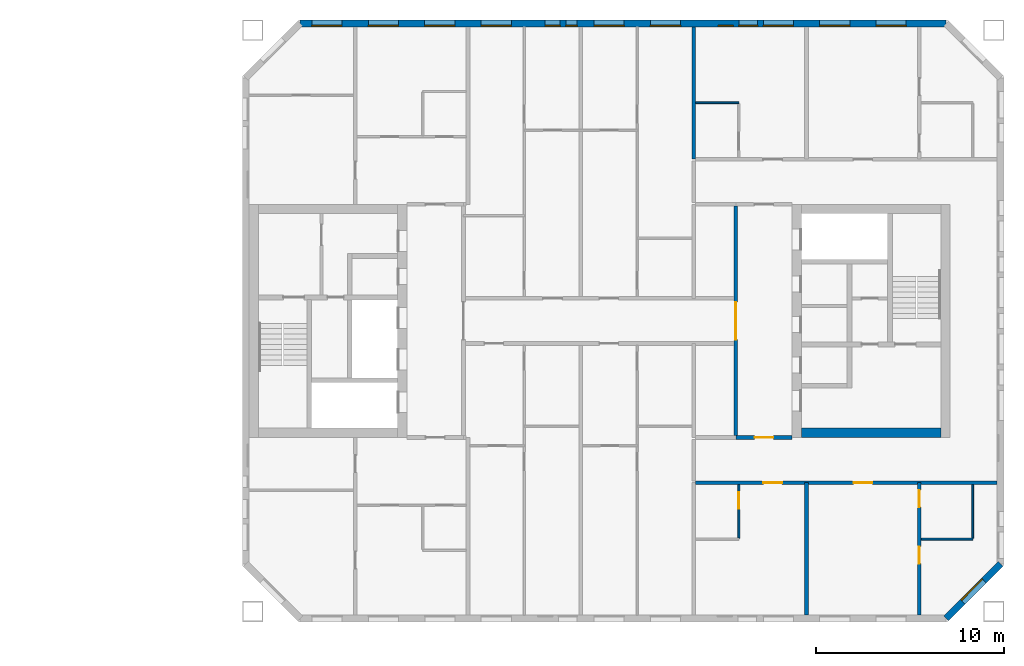
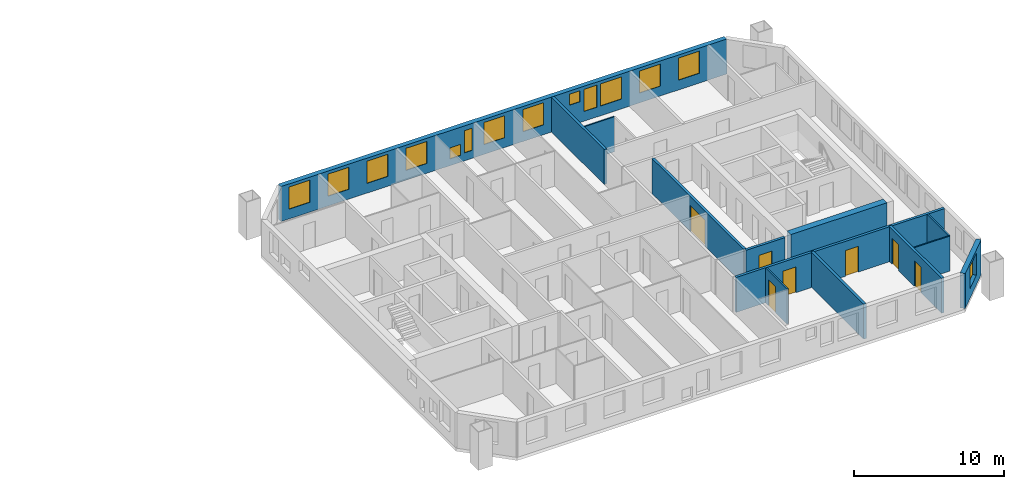
# One storey, part 11 of 15: 14 windows, 13 walls, 7 doors, 21 openings.
"""IFC4 building model written with IfcOpenShell, lengths in metres."""

from ifc_helpers import new_model, si_unit, direction, frame, frame_2d, origin, place, context, subcontext, project, spatial, rectangle, extrude, material, layer, layer_set, type_object, element, fill, save


model = new_model("IFC4")

# Units and contexts
model_context = context("Model", 3, precision=1e-05, world=origin(), true_north=direction((0.0, 1.0)))
body_context = subcontext(model_context, "Body", "Model", "MODEL_VIEW")
ifc_project = project(units=[si_unit("LENGTHUNIT", "METRE"), si_unit("AREAUNIT", "SQUARE_METRE"), si_unit("VOLUMEUNIT", "CUBIC_METRE"), si_unit("PLANEANGLEUNIT", "RADIAN"), si_unit("MASSUNIT", "GRAM", prefix="KILO")], contexts=[model_context])

# Site, building, storey
site_placement = place(None, origin())
site = spatial("IfcSite", under=ifc_project, at=site_placement, CompositionType="ELEMENT")
building_placement = place(site_placement, origin())
building = spatial("IfcBuilding", under=site, at=building_placement, Name="Tuart Gate Housing", CompositionType="ELEMENT")
storey_placement = place(building_placement, frame((0.0, 0.0, 160.89990234375)))
storey = spatial("IfcBuildingStorey", under=building, at=storey_placement, Name="L45", CompositionType="ELEMENT", Elevation=160.89990234375)

# Wall, opening, window
ifc_material_1 = material(Name="Brick", Category="masonry")
ifc_layer_1 = layer(ifc_material_1, 0.360107421875)
ifc_layer_set_1 = layer_set([ifc_layer_1], Name="Brick pier and spandrel wall 360")
wall_type_1 = type_object("IfcWallType", Name="Brick pier and spandrel wall 360", PredefinedType="STANDARD", material=ifc_layer_set_1)
wall_1_placement = place(storey_placement, frame((168.42529296875, 54.179931640625, 0.0), z_axis=(0.0, 0.0, 1.0), x_axis=(0.707106781187, 0.707106781187, 0.0)))
wall_1 = element("IfcWall", 1, at=wall_1_placement, inside=storey, type_object=wall_type_1, Name="External wall B-SE L45", PredefinedType="STANDARD", context=body_context, shape_type="SweptSolid", body=[
    extrude(rectangle(XDim=4.09375, YDim=0.360107421875, at=frame_2d((2.046875, 0.0))), origin(), (0.0, 0.0, 1.0), 2.85009765625),
])
opening_1_placement = place(wall_1_placement, frame((1.2470703125, 0.0, 0.800048828125)))
opening_1 = element("IfcOpeningElement", 2, at=opening_1_placement, cuts=wall_1, Name="Opening W1", PredefinedType="OPENING", context=body_context, shape_type="SweptSolid", body=[
    extrude(rectangle(XDim=1.60009765625, YDim=1.800048828125, at=frame_2d((0.800048828125, 0.89990234375))), frame((0.0, 0.18994140625, 0.0), z_axis=(0.0, -1.0, 0.0), x_axis=(1.0, 0.0, 0.0)), (0.0, 0.0, 1.0), 0.380126953125),
])
ifc_material_2 = material(Name="Aluminium frame with clear glass", Category="aluminium")
window_type_1 = type_object("IfcWindowType", Name="Punched window 1600 x 1800", PartitioningType="SINGLE_PANEL", PredefinedType="WINDOW", material=ifc_material_2)
window_1_placement = place(opening_1_placement, origin())
window_1 = element("IfcWindow", 3, at=window_1_placement, inside=storey, type_object=window_type_1, Name="Window W1", OverallHeight=1.800048828125, OverallWidth=1.60009765625, PartitioningType="SINGLE_PANEL", PredefinedType="WINDOW", context=body_context, shape_type="SweptSolid", body=[
    extrude(rectangle(XDim=1.60009765625, YDim=1.800048828125, at=frame_2d((0.800048828125, 0.89990234375))), frame((0.0, 0.150146484375, 0.0), z_axis=(0.0, -1.0, 0.0), x_axis=(1.0, 0.0, 0.0)), (0.0, 0.0, 1.0), 0.06005859375),
])
fill(opening_1, window_1)

# Wall, openings, windows
wall_2_placement = place(storey_placement, frame((168.42529296875, 85.820068359375, 0.0), z_axis=(0.0, 0.0, 1.0), x_axis=(-1.0, 0.0, 0.0)))
wall_2 = element("IfcWall", 4, at=wall_2_placement, inside=storey, type_object=wall_type_1, Name="External wall B-N L45", PredefinedType="STANDARD", context=body_context, shape_type="SweptSolid", body=[
    extrude(rectangle(XDim=34.350830078125, YDim=0.360107421875, at=frame_2d((17.17529296875, 0.0))), origin(), (0.0, 0.0, 1.0), 2.85009765625),
])
opening_2_placement = place(wall_2_placement, frame((2.12548828125, 0.0, 0.800048828125)))
opening_2 = element("IfcOpeningElement", 5, at=opening_2_placement, cuts=wall_2, Name="Opening W1", PredefinedType="OPENING", context=body_context, shape_type="SweptSolid", body=[
    extrude(rectangle(XDim=1.60009765625, YDim=1.800048828125, at=frame_2d((0.800048828125, 0.89990234375))), frame((0.0, 0.18994140625, 0.0), z_axis=(0.0, -1.0, 0.0), x_axis=(1.0, 0.0, 0.0)), (0.0, 0.0, 1.0), 0.380126953125),
])
opening_3_placement = place(wall_2_placement, frame((5.12548828125, 0.0, 0.800048828125)))
opening_3 = element("IfcOpeningElement", 6, at=opening_3_placement, cuts=wall_2, Name="Opening W1", PredefinedType="OPENING", context=body_context, shape_type="SweptSolid", body=[
    extrude(rectangle(XDim=1.60009765625, YDim=1.800048828125, at=frame_2d((0.800048828125, 0.89990234375))), frame((0.0, 0.18994140625, 0.0), z_axis=(0.0, -1.0, 0.0), x_axis=(1.0, 0.0, 0.0)), (0.0, 0.0, 1.0), 0.380126953125),
])
opening_4_placement = place(wall_2_placement, frame((8.12548828125, 0.0, 0.800048828125)))
opening_4 = element("IfcOpeningElement", 7, at=opening_4_placement, cuts=wall_2, Name="Opening W1", PredefinedType="OPENING", context=body_context, shape_type="SweptSolid", body=[
    extrude(rectangle(XDim=1.60009765625, YDim=1.800048828125, at=frame_2d((0.800048828125, 0.89990234375))), frame((0.0, 0.18994140625, 0.0), z_axis=(0.0, -1.0, 0.0), x_axis=(1.0, 0.0, 0.0)), (0.0, 0.0, 1.0), 0.380126953125),
])
opening_5_placement = place(wall_2_placement, frame((10.025390625, 0.0, 0.800048828125)))
opening_5 = element("IfcOpeningElement", 8, at=opening_5_placement, cuts=wall_2, Name="Opening W1C", PredefinedType="OPENING", context=body_context, shape_type="SweptSolid", body=[
    extrude(rectangle(XDim=1.0, YDim=1.800048828125, at=frame_2d((0.5, 0.89990234375))), frame((0.0, 0.18994140625, 0.0), z_axis=(0.0, -1.0, 0.0), x_axis=(1.0, 0.0, 0.0)), (0.0, 0.0, 1.0), 0.380126953125),
])
opening_6_placement = place(wall_2_placement, frame((14.12548828125, 0.0, 0.800048828125)))
opening_6 = element("IfcOpeningElement", 9, at=opening_6_placement, cuts=wall_2, Name="Opening W1", PredefinedType="OPENING", context=body_context, shape_type="SweptSolid", body=[
    extrude(rectangle(XDim=1.60009765625, YDim=1.800048828125, at=frame_2d((0.800048828125, 0.89990234375))), frame((0.0, 0.18994140625, 0.0), z_axis=(0.0, -1.0, 0.0), x_axis=(1.0, 0.0, 0.0)), (0.0, 0.0, 1.0), 0.380126953125),
])
opening_7_placement = place(wall_2_placement, frame((17.12548828125, 0.0, 0.800048828125)))
opening_7 = element("IfcOpeningElement", 10, at=opening_7_placement, cuts=wall_2, Name="Opening W1", PredefinedType="OPENING", context=body_context, shape_type="SweptSolid", body=[
    extrude(rectangle(XDim=1.60009765625, YDim=1.800048828125, at=frame_2d((0.800048828125, 0.89990234375))), frame((0.0, 0.18994140625, 0.0), z_axis=(0.0, -1.0, 0.0), x_axis=(1.0, 0.0, 0.0)), (0.0, 0.0, 1.0), 0.380126953125),
])
opening_8_placement = place(wall_2_placement, frame((19.62548828125, 0.0, 0.64990234375)))
opening_8 = element("IfcOpeningElement", 11, at=opening_8_placement, cuts=wall_2, Name="Opening W1E", PredefinedType="OPENING", context=body_context, shape_type="SweptSolid", body=[
    extrude(rectangle(XDim=0.60009765625, YDim=1.800048828125, at=frame_2d((0.300048828125, 0.89990234375))), frame((0.0, 0.18994140625, 0.0), z_axis=(0.0, -1.0, 0.0), x_axis=(1.0, 0.0, 0.0)), (0.0, 0.0, 1.0), 0.380126953125),
])
opening_9_placement = place(wall_2_placement, frame((23.12548828125, 0.0, 0.800048828125)))
opening_9 = element("IfcOpeningElement", 12, at=opening_9_placement, cuts=wall_2, Name="Opening W1", PredefinedType="OPENING", context=body_context, shape_type="SweptSolid", body=[
    extrude(rectangle(XDim=1.60009765625, YDim=1.800048828125, at=frame_2d((0.800048828125, 0.89990234375))), frame((0.0, 0.18994140625, 0.0), z_axis=(0.0, -1.0, 0.0), x_axis=(1.0, 0.0, 0.0)), (0.0, 0.0, 1.0), 0.380126953125),
])
opening_10_placement = place(wall_2_placement, frame((26.12548828125, 0.0, 0.800048828125)))
opening_10 = element("IfcOpeningElement", 13, at=opening_10_placement, cuts=wall_2, Name="Opening W1", PredefinedType="OPENING", context=body_context, shape_type="SweptSolid", body=[
    extrude(rectangle(XDim=1.60009765625, YDim=1.800048828125, at=frame_2d((0.800048828125, 0.89990234375))), frame((0.0, 0.18994140625, 0.0), z_axis=(0.0, -1.0, 0.0), x_axis=(1.0, 0.0, 0.0)), (0.0, 0.0, 1.0), 0.380126953125),
])
opening_11_placement = place(wall_2_placement, frame((29.12548828125, 0.0, 0.800048828125)))
opening_11 = element("IfcOpeningElement", 14, at=opening_11_placement, cuts=wall_2, Name="Opening W1", PredefinedType="OPENING", context=body_context, shape_type="SweptSolid", body=[
    extrude(rectangle(XDim=1.60009765625, YDim=1.800048828125, at=frame_2d((0.800048828125, 0.89990234375))), frame((0.0, 0.18994140625, 0.0), z_axis=(0.0, -1.0, 0.0), x_axis=(1.0, 0.0, 0.0)), (0.0, 0.0, 1.0), 0.380126953125),
])
opening_12_placement = place(wall_2_placement, frame((32.12548828125, 0.0, 0.800048828125)))
opening_12 = element("IfcOpeningElement", 15, at=opening_12_placement, cuts=wall_2, Name="Opening W1", PredefinedType="OPENING", context=body_context, shape_type="SweptSolid", body=[
    extrude(rectangle(XDim=1.60009765625, YDim=1.800048828125, at=frame_2d((0.800048828125, 0.89990234375))), frame((0.0, 0.18994140625, 0.0), z_axis=(0.0, -1.0, 0.0), x_axis=(1.0, 0.0, 0.0)), (0.0, 0.0, 1.0), 0.380126953125),
])
opening_13_placement = place(wall_2_placement, frame((11.325439453125, 0.0, 1.699951171875)))
opening_13 = element("IfcOpeningElement", 16, at=opening_13_placement, cuts=wall_2, Name="Opening W1V", PredefinedType="OPENING", context=body_context, shape_type="SweptSolid", body=[
    extrude(rectangle(XDim=0.800048828125, YDim=0.89990234375, at=frame_2d((0.39990234375, 0.449951171875))), frame((0.0, 0.18994140625, 0.0), z_axis=(0.0, -1.0, 0.0), x_axis=(1.0, 0.0, 0.0)), (0.0, 0.0, 1.0), 0.380126953125),
])
opening_14_placement = place(wall_2_placement, frame((20.525390625, 0.0, 0.550048828125)))
opening_14 = element("IfcOpeningElement", 17, at=opening_14_placement, cuts=wall_2, Name="Opening W1V", PredefinedType="OPENING", context=body_context, shape_type="SweptSolid", body=[
    extrude(rectangle(XDim=0.800048828125, YDim=0.89990234375, at=frame_2d((0.39990234375, 0.449951171875))), frame((0.0, 0.18994140625, 0.0), z_axis=(0.0, -1.0, 0.0), x_axis=(1.0, 0.0, 0.0)), (0.0, 0.0, 1.0), 0.380126953125),
])
ifc_material_3 = material(Name="Aluminium frame with clear glass", Category="aluminium")
window_type_2 = type_object("IfcWindowType", Name="Punched window 1000 x 1800", PartitioningType="SINGLE_PANEL", PredefinedType="WINDOW", material=ifc_material_3)
window_2_placement = place(opening_5_placement, origin())
window_2 = element("IfcWindow", 18, at=window_2_placement, inside=storey, type_object=window_type_2, Name="Window W1C", OverallHeight=1.800048828125, OverallWidth=1.0, PartitioningType="SINGLE_PANEL", PredefinedType="WINDOW", context=body_context, shape_type="SweptSolid", body=[
    extrude(rectangle(XDim=1.0, YDim=1.800048828125, at=frame_2d((0.5, 0.89990234375))), frame((0.0, 0.150146484375, 0.0), z_axis=(0.0, -1.0, 0.0), x_axis=(1.0, 0.0, 0.0)), (0.0, 0.0, 1.0), 0.06005859375),
])
fill(opening_5, window_2)
window_3_placement = place(opening_2_placement, origin())
window_3 = element("IfcWindow", 19, at=window_3_placement, inside=storey, type_object=window_type_1, Name="Window W1", OverallHeight=1.800048828125, OverallWidth=1.60009765625, PartitioningType="SINGLE_PANEL", PredefinedType="WINDOW", context=body_context, shape_type="SweptSolid", body=[
    extrude(rectangle(XDim=1.60009765625, YDim=1.800048828125, at=frame_2d((0.800048828125, 0.89990234375))), frame((0.0, 0.150146484375, 0.0), z_axis=(0.0, -1.0, 0.0), x_axis=(1.0, 0.0, 0.0)), (0.0, 0.0, 1.0), 0.06005859375),
])
fill(opening_2, window_3)
window_4_placement = place(opening_3_placement, origin())
window_4 = element("IfcWindow", 20, at=window_4_placement, inside=storey, type_object=window_type_1, Name="Window W1", OverallHeight=1.800048828125, OverallWidth=1.60009765625, PartitioningType="SINGLE_PANEL", PredefinedType="WINDOW", context=body_context, shape_type="SweptSolid", body=[
    extrude(rectangle(XDim=1.60009765625, YDim=1.800048828125, at=frame_2d((0.800048828125, 0.89990234375))), frame((0.0, 0.150146484375, 0.0), z_axis=(0.0, -1.0, 0.0), x_axis=(1.0, 0.0, 0.0)), (0.0, 0.0, 1.0), 0.06005859375),
])
fill(opening_3, window_4)
window_5_placement = place(opening_4_placement, origin())
window_5 = element("IfcWindow", 21, at=window_5_placement, inside=storey, type_object=window_type_1, Name="Window W1", OverallHeight=1.800048828125, OverallWidth=1.60009765625, PartitioningType="SINGLE_PANEL", PredefinedType="WINDOW", context=body_context, shape_type="SweptSolid", body=[
    extrude(rectangle(XDim=1.60009765625, YDim=1.800048828125, at=frame_2d((0.800048828125, 0.89990234375))), frame((0.0, 0.150146484375, 0.0), z_axis=(0.0, -1.0, 0.0), x_axis=(1.0, 0.0, 0.0)), (0.0, 0.0, 1.0), 0.06005859375),
])
fill(opening_4, window_5)
window_6_placement = place(opening_6_placement, origin())
window_6 = element("IfcWindow", 22, at=window_6_placement, inside=storey, type_object=window_type_1, Name="Window W1", OverallHeight=1.800048828125, OverallWidth=1.60009765625, PartitioningType="SINGLE_PANEL", PredefinedType="WINDOW", context=body_context, shape_type="SweptSolid", body=[
    extrude(rectangle(XDim=1.60009765625, YDim=1.800048828125, at=frame_2d((0.800048828125, 0.89990234375))), frame((0.0, 0.150146484375, 0.0), z_axis=(0.0, -1.0, 0.0), x_axis=(1.0, 0.0, 0.0)), (0.0, 0.0, 1.0), 0.06005859375),
])
fill(opening_6, window_6)
window_7_placement = place(opening_7_placement, origin())
window_7 = element("IfcWindow", 23, at=window_7_placement, inside=storey, type_object=window_type_1, Name="Window W1", OverallHeight=1.800048828125, OverallWidth=1.60009765625, PartitioningType="SINGLE_PANEL", PredefinedType="WINDOW", context=body_context, shape_type="SweptSolid", body=[
    extrude(rectangle(XDim=1.60009765625, YDim=1.800048828125, at=frame_2d((0.800048828125, 0.89990234375))), frame((0.0, 0.150146484375, 0.0), z_axis=(0.0, -1.0, 0.0), x_axis=(1.0, 0.0, 0.0)), (0.0, 0.0, 1.0), 0.06005859375),
])
fill(opening_7, window_7)
window_8_placement = place(opening_9_placement, origin())
window_8 = element("IfcWindow", 24, at=window_8_placement, inside=storey, type_object=window_type_1, Name="Window W1", OverallHeight=1.800048828125, OverallWidth=1.60009765625, PartitioningType="SINGLE_PANEL", PredefinedType="WINDOW", context=body_context, shape_type="SweptSolid", body=[
    extrude(rectangle(XDim=1.60009765625, YDim=1.800048828125, at=frame_2d((0.800048828125, 0.89990234375))), frame((0.0, 0.150146484375, 0.0), z_axis=(0.0, -1.0, 0.0), x_axis=(1.0, 0.0, 0.0)), (0.0, 0.0, 1.0), 0.06005859375),
])
fill(opening_9, window_8)
window_9_placement = place(opening_10_placement, origin())
window_9 = element("IfcWindow", 25, at=window_9_placement, inside=storey, type_object=window_type_1, Name="Window W1", OverallHeight=1.800048828125, OverallWidth=1.60009765625, PartitioningType="SINGLE_PANEL", PredefinedType="WINDOW", context=body_context, shape_type="SweptSolid", body=[
    extrude(rectangle(XDim=1.60009765625, YDim=1.800048828125, at=frame_2d((0.800048828125, 0.89990234375))), frame((0.0, 0.150146484375, 0.0), z_axis=(0.0, -1.0, 0.0), x_axis=(1.0, 0.0, 0.0)), (0.0, 0.0, 1.0), 0.06005859375),
])
fill(opening_10, window_9)
window_10_placement = place(opening_11_placement, origin())
window_10 = element("IfcWindow", 26, at=window_10_placement, inside=storey, type_object=window_type_1, Name="Window W1", OverallHeight=1.800048828125, OverallWidth=1.60009765625, PartitioningType="SINGLE_PANEL", PredefinedType="WINDOW", context=body_context, shape_type="SweptSolid", body=[
    extrude(rectangle(XDim=1.60009765625, YDim=1.800048828125, at=frame_2d((0.800048828125, 0.89990234375))), frame((0.0, 0.150146484375, 0.0), z_axis=(0.0, -1.0, 0.0), x_axis=(1.0, 0.0, 0.0)), (0.0, 0.0, 1.0), 0.06005859375),
])
fill(opening_11, window_10)
window_11_placement = place(opening_12_placement, origin())
window_11 = element("IfcWindow", 27, at=window_11_placement, inside=storey, type_object=window_type_1, Name="Window W1", OverallHeight=1.800048828125, OverallWidth=1.60009765625, PartitioningType="SINGLE_PANEL", PredefinedType="WINDOW", context=body_context, shape_type="SweptSolid", body=[
    extrude(rectangle(XDim=1.60009765625, YDim=1.800048828125, at=frame_2d((0.800048828125, 0.89990234375))), frame((0.0, 0.150146484375, 0.0), z_axis=(0.0, -1.0, 0.0), x_axis=(1.0, 0.0, 0.0)), (0.0, 0.0, 1.0), 0.06005859375),
])
fill(opening_12, window_11)
ifc_material_4 = material(Name="Aluminium frame with clear glass", Category="aluminium")
window_type_3 = type_object("IfcWindowType", Name="Punched window 600 x 1800", PartitioningType="SINGLE_PANEL", PredefinedType="WINDOW", material=ifc_material_4)
window_12_placement = place(opening_8_placement, origin())
window_12 = element("IfcWindow", 28, at=window_12_placement, inside=storey, type_object=window_type_3, Name="Window W1E", OverallHeight=1.800048828125, OverallWidth=0.60009765625, PartitioningType="SINGLE_PANEL", PredefinedType="WINDOW", context=body_context, shape_type="SweptSolid", body=[
    extrude(rectangle(XDim=0.60009765625, YDim=1.800048828125, at=frame_2d((0.300048828125, 0.89990234375))), frame((0.0, 0.150146484375, 0.0), z_axis=(0.0, -1.0, 0.0), x_axis=(1.0, 0.0, 0.0)), (0.0, 0.0, 1.0), 0.06005859375),
])
fill(opening_8, window_12)
ifc_material_5 = material(Name="Aluminium frame with clear glass", Category="aluminium")
window_type_4 = type_object("IfcWindowType", Name="Punched window 800 x 900", PartitioningType="SINGLE_PANEL", PredefinedType="WINDOW", material=ifc_material_5)
window_13_placement = place(opening_13_placement, origin())
window_13 = element("IfcWindow", 29, at=window_13_placement, inside=storey, type_object=window_type_4, Name="Window W1V", OverallHeight=0.89990234375, OverallWidth=0.800048828125, PartitioningType="SINGLE_PANEL", PredefinedType="WINDOW", context=body_context, shape_type="SweptSolid", body=[
    extrude(rectangle(XDim=0.800048828125, YDim=0.89990234375, at=frame_2d((0.39990234375, 0.449951171875))), frame((0.0, 0.150146484375, 0.0), z_axis=(0.0, -1.0, 0.0), x_axis=(1.0, 0.0, 0.0)), (0.0, 0.0, 1.0), 0.06005859375),
])
fill(opening_13, window_13)
window_14_placement = place(opening_14_placement, origin())
window_14 = element("IfcWindow", 30, at=window_14_placement, inside=storey, type_object=window_type_4, Name="Window W1V", OverallHeight=0.89990234375, OverallWidth=0.800048828125, PartitioningType="SINGLE_PANEL", PredefinedType="WINDOW", context=body_context, shape_type="SweptSolid", body=[
    extrude(rectangle(XDim=0.800048828125, YDim=0.89990234375, at=frame_2d((0.39990234375, 0.449951171875))), frame((0.0, 0.150146484375, 0.0), z_axis=(0.0, -1.0, 0.0), x_axis=(1.0, 0.0, 0.0)), (0.0, 0.0, 1.0), 0.06005859375),
])
fill(opening_14, window_14)

# Wall
ifc_material_6 = material(Name="Concrete C40", Category="concrete")
ifc_layer_2 = layer(ifc_material_6, 0.5)
ifc_layer_set_2 = layer_set([ifc_layer_2], Name="Core wall 500 C40")
wall_type_2 = type_object("IfcWallType", Name="Core wall 500 C40", PredefinedType="SHEAR", material=ifc_layer_set_2)
wall_3_placement = place(storey_placement, frame((160.739990234375, 64.050048828125, 0.0), z_axis=(0.0, 0.0, 1.0), x_axis=(1.0, 0.0, 0.0)))
element("IfcWall", 31, at=wall_3_placement, inside=storey, type_object=wall_type_2, Name="Core wall BK north", PredefinedType="SHEAR", context=body_context, shape_type="SweptSolid", body=[
    extrude(rectangle(XDim=7.39990234375, YDim=0.5, at=frame_2d((3.699951171875, 0.0))), origin(), (0.0, 0.0, 1.0), 2.85009765625),
])

# Wall, openings, doors
ifc_material_7 = material(Name="Concrete masonry 15 MPa", Category="masonry")
ifc_layer_3 = layer(ifc_material_7, 0.199951171875)
ifc_layer_set_3 = layer_set([ifc_layer_3], Name="Corridor wall masonry 200")
wall_type_3 = type_object("IfcWallType", Name="Corridor wall masonry 200", PredefinedType="PARTITIONING", material=ifc_layer_set_3)
wall_4_placement = place(storey_placement, frame((155.10009765625, 61.39990234375, 0.0), z_axis=(0.0, 0.0, 1.0), x_axis=(1.0, 0.0, 0.0)))
wall_4 = element("IfcWall", 32, at=wall_4_placement, inside=storey, type_object=wall_type_3, Name="Corridor wall masonry 200", PredefinedType="PARTITIONING", context=body_context, shape_type="SweptSolid", body=[
    extrude(rectangle(XDim=16.039794921875, YDim=0.199951171875, at=frame_2d((8.02001953125, 0.0))), origin(), (0.0, 0.0, 1.0), 2.85009765625),
])
opening_15_placement = place(wall_4_placement, frame((3.60009765625, 0.0, 0.0)))
opening_15 = element("IfcOpeningElement", 33, at=opening_15_placement, cuts=wall_4, Name="Opening D1724", PredefinedType="OPENING", context=body_context, shape_type="SweptSolid", body=[
    extrude(rectangle(XDim=1.0, YDim=2.10009765625, at=frame_2d((0.5, 1.050048828125))), frame((0.0, 0.10986328125, 0.0), z_axis=(0.0, -1.0, 0.0), x_axis=(1.0, 0.0, 0.0)), (0.0, 0.0, 1.0), 0.219970703125),
])
opening_16_placement = place(wall_4_placement, frame((8.39990234375, 0.0, 0.0)))
opening_16 = element("IfcOpeningElement", 34, at=opening_16_placement, cuts=wall_4, Name="Opening D1725", PredefinedType="OPENING", context=body_context, shape_type="SweptSolid", body=[
    extrude(rectangle(XDim=1.0, YDim=2.10009765625, at=frame_2d((0.5, 1.050048828125))), frame((0.0, 0.10986328125, 0.0), z_axis=(0.0, -1.0, 0.0), x_axis=(1.0, 0.0, 0.0)), (0.0, 0.0, 1.0), 0.219970703125),
])
ifc_material_8 = material(Name="Timber door leaf in steel frame", Category="steel")
door_type_1 = type_object("IfcDoorType", Name="Flat entrance door 1000 RH", OperationType="SINGLE_SWING_RIGHT", PredefinedType="DOOR", material=ifc_material_8)
door_1_placement = place(opening_15_placement, frame((1.0, 0.0, 0.0), z_axis=(0.0, 0.0, 1.0), x_axis=(-1.0, 0.0, 0.0)))
door_1 = element("IfcDoor", 35, at=door_1_placement, inside=storey, type_object=door_type_1, Name="Flat entrance door", OperationType="SINGLE_SWING_RIGHT", OverallHeight=2.10009765625, OverallWidth=1.0, PredefinedType="DOOR", context=body_context, shape_type="SweptSolid", body=[
    extrude(rectangle(XDim=1.0, YDim=2.10009765625, at=frame_2d((0.5, 1.050048828125))), frame((0.0, 0.025146484375, 0.0), z_axis=(0.0, -1.0, 0.0), x_axis=(1.0, 0.0, 0.0)), (0.0, 0.0, 1.0), 0.050048828125),
])
fill(opening_15, door_1)
door_2_placement = place(opening_16_placement, frame((1.0, 0.0, 0.0), z_axis=(0.0, 0.0, 1.0), x_axis=(-1.0, 0.0, 0.0)))
door_2 = element("IfcDoor", 36, at=door_2_placement, inside=storey, type_object=door_type_1, Name="Flat entrance door", OperationType="SINGLE_SWING_RIGHT", OverallHeight=2.10009765625, OverallWidth=1.0, PredefinedType="DOOR", context=body_context, shape_type="SweptSolid", body=[
    extrude(rectangle(XDim=1.0, YDim=2.10009765625, at=frame_2d((0.5, 1.050048828125))), frame((0.0, 0.025146484375, 0.0), z_axis=(0.0, -1.0, 0.0), x_axis=(1.0, 0.0, 0.0)), (0.0, 0.0, 1.0), 0.050048828125),
])
fill(opening_16, door_2)

# Wall, opening, door
ifc_material_9 = material(Name="Concrete masonry 15 MPa", Category="masonry")
ifc_layer_4 = layer(ifc_material_9, 0.199951171875)
ifc_layer_set_4 = layer_set([ifc_layer_4], Name="Enclosure wall masonry 200")
wall_type_4 = type_object("IfcWallType", Name="Enclosure wall masonry 200", PredefinedType="PARTITIONING", material=ifc_layer_set_4)
wall_5_placement = place(storey_placement, frame((157.239990234375, 63.800048828125, 0.0), z_axis=(0.0, 0.0, 1.0), x_axis=(1.0, 0.0, 0.0)))
wall_5 = element("IfcWall", 37, at=wall_5_placement, inside=storey, type_object=wall_type_4, Name="Enclosure wall masonry 200", PredefinedType="PARTITIONING", context=body_context, shape_type="SweptSolid", body=[
    extrude(rectangle(XDim=3.0, YDim=0.199951171875, at=frame_2d((1.5, 0.0))), origin(), (0.0, 0.0, 1.0), 2.85009765625),
])
opening_17_placement = place(wall_5_placement, frame((1.0, 0.0, 0.0)))
opening_17 = element("IfcOpeningElement", 38, at=opening_17_placement, cuts=wall_5, Name="Opening D1717", PredefinedType="OPENING", context=body_context, shape_type="SweptSolid", body=[
    extrude(rectangle(XDim=1.0, YDim=2.10009765625, at=frame_2d((0.5, 1.050048828125))), frame((0.0, 0.10986328125, 0.0), z_axis=(0.0, -1.0, 0.0), x_axis=(1.0, 0.0, 0.0)), (0.0, 0.0, 1.0), 0.219970703125),
])
ifc_material_10 = material(Name="Timber door leaf in steel frame", Category="steel")
door_type_2 = type_object("IfcDoorType", Name="Fire door 1000 RH", OperationType="SINGLE_SWING_RIGHT", PredefinedType="DOOR", material=ifc_material_10)
door_3_placement = place(opening_17_placement, frame((1.0, 0.0, 0.0), z_axis=(0.0, 0.0, 1.0), x_axis=(-1.0, 0.0, 0.0)))
door_3 = element("IfcDoor", 39, at=door_3_placement, inside=storey, type_object=door_type_2, Name="Fire door", OperationType="SINGLE_SWING_RIGHT", OverallHeight=2.10009765625, OverallWidth=1.0, PredefinedType="DOOR", context=body_context, shape_type="SweptSolid", body=[
    extrude(rectangle(XDim=1.0, YDim=2.10009765625, at=frame_2d((0.5, 1.050048828125))), frame((0.0, 0.025146484375, 0.0), z_axis=(0.0, -1.0, 0.0), x_axis=(1.0, 0.0, 0.0)), (0.0, 0.0, 1.0), 0.050048828125),
])
fill(opening_17, door_3)

ifc_material_11 = material(Name="Plasterboard partition")
ifc_layer_5 = layer(ifc_material_11, 0.199951171875)
ifc_layer_set_5 = layer_set([ifc_layer_5], Name="Lobby wall 200")
wall_type_5 = type_object("IfcWallType", Name="Lobby wall 200", PredefinedType="PARTITIONING", material=ifc_layer_set_5)
wall_6_placement = place(storey_placement, frame((157.239990234375, 63.89990234375, 0.0), z_axis=(0.0, 0.0, 1.0), x_axis=(0.0, 1.0, 0.0)))
wall_6 = element("IfcWall", 40, at=wall_6_placement, inside=storey, type_object=wall_type_5, Name="Lift lobby wall BK", PredefinedType="PARTITIONING", context=body_context, shape_type="SweptSolid", body=[
    extrude(rectangle(XDim=12.2001953125, YDim=0.199951171875, at=frame_2d((6.10009765625, 0.0))), origin(), (0.0, 0.0, 1.0), 2.85009765625),
])
opening_18_placement = place(wall_6_placement, frame((5.10009765625, 0.0, 0.0)))
opening_18 = element("IfcOpeningElement", 41, at=opening_18_placement, cuts=wall_6, Name="Opening D1707", PredefinedType="OPENING", context=body_context, shape_type="SweptSolid", body=[
    extrude(rectangle(XDim=2.0, YDim=2.10009765625, at=frame_2d((1.0, 1.050048828125))), frame((0.0, 0.10986328125, 0.0), z_axis=(0.0, -1.0, 0.0), x_axis=(1.0, 0.0, 0.0)), (0.0, 0.0, 1.0), 0.219970703125),
])
ifc_material_12 = material(Name="Steel fire door", Category="steel")
door_type_3 = type_object("IfcDoorType", Name="Smoke door 2000 x 2100", OperationType="DOUBLE_DOOR_SINGLE_SWING", PredefinedType="DOOR", material=ifc_material_12)
door_4_placement = place(opening_18_placement, frame((2.0, 0.0, 0.0), z_axis=(0.0, 0.0, 1.0), x_axis=(-1.0, 0.0, 0.0)))
door_4 = element("IfcDoor", 42, at=door_4_placement, inside=storey, type_object=door_type_3, Name="Lift lobby smoke door BK", OperationType="DOUBLE_DOOR_SINGLE_SWING", OverallHeight=2.10009765625, OverallWidth=2.0, PredefinedType="DOOR", context=body_context, shape_type="SweptSolid", body=[
    extrude(rectangle(XDim=2.0, YDim=2.10009765625, at=frame_2d((1.0, 1.050048828125))), frame((0.0, 0.025146484375, 0.0), z_axis=(0.0, -1.0, 0.0), x_axis=(1.0, 0.0, 0.0)), (0.0, 0.0, 1.0), 0.050048828125),
])
fill(opening_18, door_4)

# Walls
ifc_material_13 = material(Name="Gypsum board on steel studs", Category="steel")
ifc_layer_6 = layer(ifc_material_13, 0.10009765625)
ifc_layer_set_6 = layer_set([ifc_layer_6], Name="Partition 100")
wall_type_6 = type_object("IfcWallType", Name="Partition 100", PredefinedType="PARTITIONING", material=ifc_layer_set_6)
wall_7_placement = place(storey_placement, frame((167.10009765625, 58.39990234375, 0.0), z_axis=(0.0, 0.0, 1.0), x_axis=(1.0, 0.0, 0.0)))
element("IfcWall", 43, at=wall_7_placement, inside=storey, type_object=wall_type_6, Name="Partition 100", PredefinedType="PARTITIONING", context=body_context, shape_type="SweptSolid", body=[
    extrude(rectangle(XDim=2.739990234375, YDim=0.10009765625, at=frame_2d((1.3701171875, 0.0))), origin(), (0.0, 0.0, 1.0), 2.85009765625),
])
wall_8_placement = place(storey_placement, frame((155.10009765625, 81.60009765625, 0.0), z_axis=(0.0, 0.0, 1.0), x_axis=(1.0, 0.0, 0.0)))
element("IfcWall", 44, at=wall_8_placement, inside=storey, type_object=wall_type_6, Name="Partition 100", PredefinedType="PARTITIONING", context=body_context, shape_type="SweptSolid", body=[
    extrude(rectangle(XDim=2.2998046875, YDim=0.10009765625, at=frame_2d((1.14990234375, 0.0))), origin(), (0.0, 0.0, 1.0), 2.85009765625),
])

# Wall, opening, door
wall_9_placement = place(storey_placement, frame((157.39990234375, 58.449951171875, 0.0), z_axis=(0.0, 0.0, 1.0), x_axis=(0.0, 1.0, 0.0)))
wall_9 = element("IfcWall", 45, at=wall_9_placement, inside=storey, type_object=wall_type_6, Name="Partition 100", PredefinedType="PARTITIONING", context=body_context, shape_type="SweptSolid", body=[
    extrude(rectangle(XDim=2.85009765625, YDim=0.10009765625, at=frame_2d((1.425048828125, 0.0))), origin(), (0.0, 0.0, 1.0), 2.85009765625),
])
opening_19_placement = place(wall_9_placement, frame((1.550048828125, 0.0, 0.0)))
opening_19 = element("IfcOpeningElement", 46, at=opening_19_placement, cuts=wall_9, Name="Opening D1728", PredefinedType="OPENING", context=body_context, shape_type="SweptSolid", body=[
    extrude(rectangle(XDim=0.89990234375, YDim=2.10009765625, at=frame_2d((0.449951171875, 1.050048828125))), frame((0.0, 0.06005859375, 0.0), z_axis=(0.0, -1.0, 0.0), x_axis=(1.0, 0.0, 0.0)), (0.0, 0.0, 1.0), 0.1201171875),
])
ifc_material_14 = material(Name="Timber door leaf in steel frame", Category="steel")
door_type_4 = type_object("IfcDoorType", Name="Bathroom door 900 RH", OperationType="SINGLE_SWING_RIGHT", PredefinedType="DOOR", material=ifc_material_14)
door_5_placement = place(opening_19_placement, origin())
door_5 = element("IfcDoor", 47, at=door_5_placement, inside=storey, type_object=door_type_4, Name="Bathroom door", OperationType="SINGLE_SWING_RIGHT", OverallHeight=2.10009765625, OverallWidth=0.89990234375, PredefinedType="DOOR", context=body_context, shape_type="SweptSolid", body=[
    extrude(rectangle(XDim=0.89990234375, YDim=2.10009765625, at=frame_2d((0.449951171875, 1.050048828125))), frame((0.0, 0.02490234375, 0.0), z_axis=(0.0, -1.0, 0.0), x_axis=(1.0, 0.0, 0.0)), (0.0, 0.0, 1.0), 0.050048828125),
])
fill(opening_19, door_5)

# Walls
wall_10_placement = place(storey_placement, frame((169.840087890625, 58.449951171875, 0.0), z_axis=(0.0, 0.0, 1.0), x_axis=(0.0, 1.0, 0.0)))
element("IfcWall", 48, at=wall_10_placement, inside=storey, type_object=wall_type_6, Name="Partition 100", PredefinedType="PARTITIONING", context=body_context, shape_type="SweptSolid", body=[
    extrude(rectangle(XDim=2.85009765625, YDim=0.10009765625, at=frame_2d((1.425048828125, 0.0))), origin(), (0.0, 0.0, 1.0), 2.85009765625),
])
ifc_material_15 = material(Name="Concrete C40", Category="concrete")
ifc_layer_7 = layer(ifc_material_15, 0.199951171875)
ifc_layer_set_7 = layer_set([ifc_layer_7], Name="Party wall concrete C40 200")
wall_type_7 = type_object("IfcWallType", Name="Party wall concrete C40 200", PredefinedType="SOLIDWALL", material=ifc_layer_set_7)
for number, where, z_axis, x_axis, name in (
    (49, (155.0, 78.60009765625, 0.0), (0.0, 0.0, 1.0), (0.0, 1.0, 0.0), "Party wall concrete C40 200"),
    (50, (161.0, 54.360107421875, 0.0), (0.0, 0.0, 1.0), (0.0, 1.0, 0.0), "Party wall concrete C40 200"),
):
    element("IfcWall", number, at=place(storey_placement, frame(where, z_axis=z_axis, x_axis=x_axis)), inside=storey, type_object=wall_type_7, Name=name, PredefinedType="SOLIDWALL", context=body_context, shape_type="SweptSolid", body=[
        extrude(rectangle(XDim=7.039794921875, YDim=0.199951171875, at=frame_2d((3.52001953125, 0.0))), origin(), (0.0, 0.0, 1.0), 2.85009765625),
    ])

# Wall, openings, doors
wall_11_placement = place(storey_placement, frame((167.0, 54.360107421875, 0.0), z_axis=(0.0, 0.0, 1.0), x_axis=(0.0, 1.0, 0.0)))
wall_11 = element("IfcWall", 51, at=wall_11_placement, inside=storey, type_object=wall_type_7, Name="Party wall concrete C40 200", PredefinedType="SOLIDWALL", context=body_context, shape_type="SweptSolid", body=[
    extrude(rectangle(XDim=7.039794921875, YDim=0.199951171875, at=frame_2d((3.52001953125, 0.0))), origin(), (0.0, 0.0, 1.0), 2.85009765625),
])
opening_20_placement = place(wall_11_placement, frame((2.739990234375, 0.0, 0.0)))
opening_20 = element("IfcOpeningElement", 52, at=opening_20_placement, cuts=wall_11, Name="Opening D1732", PredefinedType="OPENING", context=body_context, shape_type="SweptSolid", body=[
    extrude(rectangle(XDim=0.89990234375, YDim=2.10009765625, at=frame_2d((0.449951171875, 1.050048828125))), frame((0.0, 0.10986328125, 0.0), z_axis=(0.0, -1.0, 0.0), x_axis=(1.0, 0.0, 0.0)), (0.0, 0.0, 1.0), 0.219970703125),
])
opening_21_placement = place(wall_11_placement, frame((5.739990234375, 0.0, 0.0)))
opening_21 = element("IfcOpeningElement", 53, at=opening_21_placement, cuts=wall_11, Name="Opening D1731", PredefinedType="OPENING", context=body_context, shape_type="SweptSolid", body=[
    extrude(rectangle(XDim=0.89990234375, YDim=2.10009765625, at=frame_2d((0.449951171875, 1.050048828125))), frame((0.0, 0.10986328125, 0.0), z_axis=(0.0, -1.0, 0.0), x_axis=(1.0, 0.0, 0.0)), (0.0, 0.0, 1.0), 0.219970703125),
])
ifc_material_16 = material(Name="Timber door leaf in steel frame", Category="steel")
door_type_5 = type_object("IfcDoorType", Name="Bathroom door 900", OperationType="SINGLE_SWING_LEFT", PredefinedType="DOOR", material=ifc_material_16)
door_6_placement = place(opening_21_placement, frame((0.89990234375, 0.0, 0.0), z_axis=(0.0, 0.0, 1.0), x_axis=(-1.0, 0.0, 0.0)))
door_6 = element("IfcDoor", 54, at=door_6_placement, inside=storey, type_object=door_type_5, Name="Bathroom door", OperationType="SINGLE_SWING_LEFT", OverallHeight=2.10009765625, OverallWidth=0.89990234375, PredefinedType="DOOR", context=body_context, shape_type="SweptSolid", body=[
    extrude(rectangle(XDim=0.89990234375, YDim=2.10009765625, at=frame_2d((0.449951171875, 1.050048828125))), frame((0.0, 0.025146484375, 0.0), z_axis=(0.0, -1.0, 0.0), x_axis=(1.0, 0.0, 0.0)), (0.0, 0.0, 1.0), 0.050048828125),
])
fill(opening_21, door_6)
ifc_material_17 = material(Name="Timber door leaf in steel frame", Category="steel")
door_type_6 = type_object("IfcDoorType", Name="Internal door 900", OperationType="SINGLE_SWING_LEFT", PredefinedType="DOOR", material=ifc_material_17)
door_7_placement = place(opening_20_placement, frame((0.89990234375, 0.0, 0.0), z_axis=(0.0, 0.0, 1.0), x_axis=(-1.0, 0.0, 0.0)))
door_7 = element("IfcDoor", 55, at=door_7_placement, inside=storey, type_object=door_type_6, Name="Internal door", OperationType="SINGLE_SWING_LEFT", OverallHeight=2.10009765625, OverallWidth=0.89990234375, PredefinedType="DOOR", context=body_context, shape_type="SweptSolid", body=[
    extrude(rectangle(XDim=0.89990234375, YDim=2.10009765625, at=frame_2d((0.449951171875, 1.050048828125))), frame((0.0, 0.025146484375, 0.0), z_axis=(0.0, -1.0, 0.0), x_axis=(1.0, 0.0, 0.0)), (0.0, 0.0, 1.0), 0.050048828125),
])
fill(opening_20, door_7)

save(model, "model.ifc")
